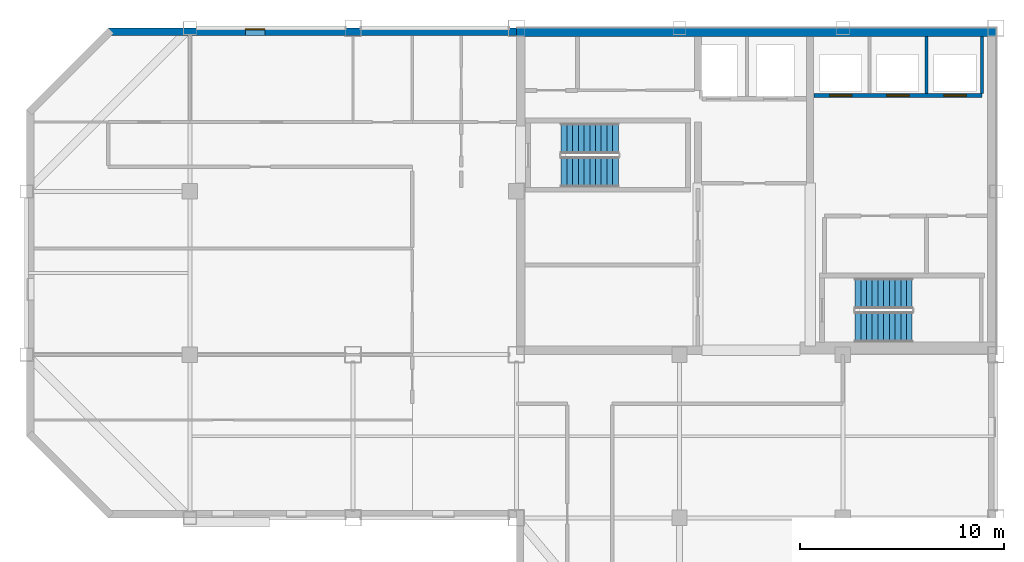
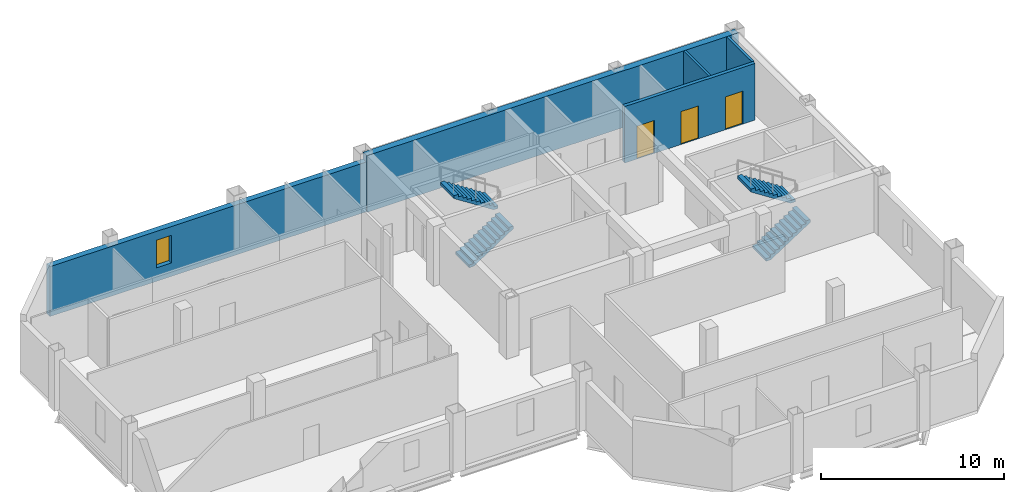
# One storey, part 4 of 7: 5 walls, 4 stair flights, 3 doors, 1 window, 4 openings, 2 elements without a shape of their own.
"""IFC4 building model written with IfcOpenShell, lengths in metres."""

from ifc_helpers import new_model, si_unit, direction, frame, frame_2d, origin, place, context, subcontext, project, spatial, polyline, rectangle, outline, extrude, material, layer, layer_set, type_object, element, fill, aggregate, save


model = new_model("IFC4")

# Units and contexts
model_context = context("Model", 3, precision=1e-05, world=origin(), true_north=direction((0.0, 1.0)))
body_context = subcontext(model_context, "Body", "Model", "MODEL_VIEW")
ifc_project = project(units=[si_unit("LENGTHUNIT", "METRE"), si_unit("AREAUNIT", "SQUARE_METRE"), si_unit("VOLUMEUNIT", "CUBIC_METRE"), si_unit("PLANEANGLEUNIT", "RADIAN"), si_unit("MASSUNIT", "GRAM", prefix="KILO")], contexts=[model_context])

# Site, building, storey
site_placement = place(None, origin())
site = spatial("IfcSite", under=ifc_project, at=site_placement, CompositionType="ELEMENT")
building_placement = place(site_placement, origin())
building = spatial("IfcBuilding", under=site, at=building_placement, Name="Qianrong Seaharbour Tower", CompositionType="ELEMENT")
storey_placement = place(building_placement, frame((0.0, 0.0, 311.199951171875)))
storey = spatial("IfcBuildingStorey", under=building, at=storey_placement, Name="L75", CompositionType="ELEMENT", Elevation=311.199951171875)

# Wall
ifc_material_1 = material(Name="Concrete C50/60", Category="concrete")
ifc_layer_1 = layer(ifc_material_1, 0.419921875)
ifc_layer_set_1 = layer_set([ifc_layer_1], Name="Concrete C50/60")
wall_type_1 = type_object("IfcWallType", Name="WALL-CORE-420", PredefinedType="SHEAR", material=ifc_layer_set_1)
wall_1_placement = place(storey_placement, frame((40.5, 51.7900390625, 0.0), z_axis=(0.0, 0.0, 1.0), x_axis=(1.0, 0.0, 0.0)))
element("IfcWall", 1, at=wall_1_placement, inside=storey, type_object=wall_type_1, Name="L75 North Core Shear Wall", PredefinedType="SHEAR", context=body_context, shape_type="SweptSolid", body=[
    extrude(rectangle(XDim=23.5, YDim=0.419921875, at=frame_2d((11.75, 0.0))), origin(), (0.0, 0.0, 1.0), 3.78515625),
])

# Wall, opening, window
ifc_material_2 = material(Name="Unitised red brick on Precast concrete C45/55", Category="masonry")
ifc_layer_2 = layer(ifc_material_2, 0.360107421875)
ifc_layer_set_2 = layer_set([ifc_layer_2], Name="Unitised red brick on Precast concrete C45/55")
wall_type_2 = type_object("IfcWallType", Name="WALL-EXT-BRICK-RED-360", PredefinedType="SOLIDWALL", material=ifc_layer_set_2)
wall_2_placement = place(storey_placement, frame((20.5, 51.820068359375, 0.0), z_axis=(0.0, 0.0, 1.0), x_axis=(1.0, 0.0, 0.0)))
wall_2 = element("IfcWall", 2, at=wall_2_placement, inside=storey, type_object=wall_type_2, Name="L75 Exterior Masonry Facade Wall NORTH_WING", PredefinedType="SOLIDWALL", context=body_context, shape_type="SweptSolid", body=[
    extrude(rectangle(XDim=20.02001953125, YDim=0.360107421875, at=frame_2d((10.010009765625, 0.0))), origin(), (0.0, 0.0, 1.0), 3.3349609375),
])
opening_1_placement = place(wall_2_placement, frame((6.72509765625, 0.0, 0.89990234375)))
opening_1 = element("IfcOpeningElement", 3, at=opening_1_placement, cuts=wall_2, Name="Opening WN-13", PredefinedType="OPENING", context=body_context, shape_type="SweptSolid", body=[
    extrude(rectangle(XDim=0.949951171875, YDim=1.85009765625, at=frame_2d((0.47509765625, 0.925048828125))), frame((0.0, 0.18994140625, 0.0), z_axis=(0.0, -1.0, 0.0), x_axis=(1.0, 0.0, 0.0)), (0.0, 0.0, 1.0), 0.380126953125),
])
ifc_material_3 = material(Name="Insulated low-e double glazing in thermally broken aluminium 6063-T6 frame", Category="aluminium")
window_type = type_object("IfcWindowType", Name="WIN-NARROW-950x1850", PartitioningType="SINGLE_PANEL", PredefinedType="WINDOW", material=ifc_material_3)
window_placement = place(opening_1_placement, origin())
window = element("IfcWindow", 4, at=window_placement, inside=storey, type_object=window_type, Name="L75 Deep-Set Punched Window 05.02", OverallHeight=1.85009765625, OverallWidth=0.949951171875, PartitioningType="SINGLE_PANEL", PredefinedType="WINDOW", context=body_context, shape_type="SweptSolid", body=[
    extrude(rectangle(XDim=0.949951171875, YDim=1.85009765625, at=frame_2d((0.47509765625, 0.925048828125))), frame((0.0, 0.150146484375, 0.0), z_axis=(0.0, -1.0, 0.0), x_axis=(1.0, 0.0, 0.0)), (0.0, 0.0, 1.0), 0.06005859375),
])
fill(opening_1, window)

# Walls
ifc_material_4 = material(Name="Fire-rated gypsum board on steel studs", Category="steel")
ifc_layer_3 = layer(ifc_material_4, 0.14990234375)
ifc_layer_set_3 = layer_set([ifc_layer_3], Name="Fire-rated gypsum board on steel studs")
wall_type_3 = type_object("IfcWallType", Name="WALL-SHAFT-DIV-150", PredefinedType="PARTITIONING", material=ifc_layer_set_3)
for number, where, z_axis, x_axis, name in (
    (5, (60.60009765625, 48.81005859375, 0.0), (0.0, 0.0, 1.0), (0.0, 1.0, 0.0), "L75 P4 Lift Hoistway Divider 3"),
    (6, (63.320068359375, 48.81005859375, 0.0), (0.0, 0.0, 1.0), (0.0, 1.0, 0.0), "L75 P4 Lift Hoistway Divider 4"),
):
    element("IfcWall", number, at=place(storey_placement, frame(where, z_axis=z_axis, x_axis=x_axis)), inside=storey, type_object=wall_type_3, Name=name, PredefinedType="PARTITIONING", context=body_context, shape_type="SweptSolid", body=[
        extrude(rectangle(XDim=2.77001953125, YDim=0.14990234375, at=frame_2d((1.385009765625, 0.0))), origin(), (0.0, 0.0, 1.0), 3.78515625),
    ])

# Wall, openings, doors
ifc_layer_4 = layer(ifc_material_4, 0.219970703125)
ifc_layer_set_4 = layer_set([ifc_layer_4], Name="Fire-rated gypsum board on steel studs")
wall_type_4 = type_object("IfcWallType", Name="WALL-SHAFT-GYP220", PredefinedType="PARTITIONING", material=ifc_layer_set_4)
wall_3_placement = place(storey_placement, frame((63.320068359375, 48.699951171875, 0.0), z_axis=(0.0, 0.0, 1.0), x_axis=(-1.0, 0.0, 0.0)))
wall_3 = element("IfcWall", 7, at=wall_3_placement, inside=storey, type_object=wall_type_4, Name="L75 P4 Lift Hoistway Front Wall", PredefinedType="PARTITIONING", context=body_context, shape_type="SweptSolid", body=[
    extrude(rectangle(XDim=8.239990234375, YDim=0.219970703125, at=frame_2d((4.1201171875, 0.0))), origin(), (0.0, 0.0, 1.0), 3.78515625),
])
opening_2_placement = place(wall_3_placement, frame((6.3701171875, 0.0, 0.0)))
opening_2 = element("IfcOpeningElement", 8, at=opening_2_placement, cuts=wall_3, Name="Opening LD-02", PredefinedType="OPENING", context=body_context, shape_type="SweptSolid", body=[
    extrude(rectangle(XDim=1.10009765625, YDim=2.199951171875, at=frame_2d((0.550048828125, 1.10009765625))), frame((0.0, 0.1201171875, 0.0), z_axis=(0.0, -1.0, 0.0), x_axis=(1.0, 0.0, 0.0)), (0.0, 0.0, 1.0), 0.239990234375),
])
opening_3_placement = place(wall_3_placement, frame((3.570068359375, 0.0, 0.0)))
opening_3 = element("IfcOpeningElement", 9, at=opening_3_placement, cuts=wall_3, Name="Opening LD-02", PredefinedType="OPENING", context=body_context, shape_type="SweptSolid", body=[
    extrude(rectangle(XDim=1.10009765625, YDim=2.199951171875, at=frame_2d((0.550048828125, 1.10009765625))), frame((0.0, 0.1201171875, 0.0), z_axis=(0.0, -1.0, 0.0), x_axis=(1.0, 0.0, 0.0)), (0.0, 0.0, 1.0), 0.239990234375),
])
opening_4_placement = place(wall_3_placement, frame((0.77001953125, 0.0, 0.0)))
opening_4 = element("IfcOpeningElement", 10, at=opening_4_placement, cuts=wall_3, Name="Opening LD-02", PredefinedType="OPENING", context=body_context, shape_type="SweptSolid", body=[
    extrude(rectangle(XDim=1.10009765625, YDim=2.199951171875, at=frame_2d((0.550048828125, 1.10009765625))), frame((0.0, 0.1201171875, 0.0), z_axis=(0.0, -1.0, 0.0), x_axis=(1.0, 0.0, 0.0)), (0.0, 0.0, 1.0), 0.239990234375),
])
ifc_material_5 = material(Name="Stainless steel SUS316L bi-parting lift landing door", Category="steel")
door_type = type_object("IfcDoorType", Name="DOOR-LIFT-PASS-1100x2200", OperationType="DOUBLE_DOOR_SLIDING", PredefinedType="DOOR", material=ifc_material_5)
door_1_placement = place(opening_2_placement, origin())
door_1 = element("IfcDoor", 11, at=door_1_placement, inside=storey, type_object=door_type, Name="L75 PL-4A Lift Landing Door", OperationType="DOUBLE_DOOR_SLIDING", OverallHeight=2.199951171875, OverallWidth=1.10009765625, PredefinedType="DOOR", context=body_context, shape_type="SweptSolid", body=[
    extrude(rectangle(XDim=1.10009765625, YDim=2.199951171875, at=frame_2d((0.550048828125, 1.10009765625))), frame((0.0, 0.02490234375, 0.0), z_axis=(0.0, -1.0, 0.0), x_axis=(1.0, 0.0, 0.0)), (0.0, 0.0, 1.0), 0.050048828125),
])
fill(opening_2, door_1)
door_2_placement = place(opening_3_placement, origin())
door_2 = element("IfcDoor", 12, at=door_2_placement, inside=storey, type_object=door_type, Name="L75 PL-4B Lift Landing Door", OperationType="DOUBLE_DOOR_SLIDING", OverallHeight=2.199951171875, OverallWidth=1.10009765625, PredefinedType="DOOR", context=body_context, shape_type="SweptSolid", body=[
    extrude(rectangle(XDim=1.10009765625, YDim=2.199951171875, at=frame_2d((0.550048828125, 1.10009765625))), frame((0.0, 0.02490234375, 0.0), z_axis=(0.0, -1.0, 0.0), x_axis=(1.0, 0.0, 0.0)), (0.0, 0.0, 1.0), 0.050048828125),
])
fill(opening_3, door_2)
door_3_placement = place(opening_4_placement, origin())
door_3 = element("IfcDoor", 13, at=door_3_placement, inside=storey, type_object=door_type, Name="L75 PL-4C Lift Landing Door", OperationType="DOUBLE_DOOR_SLIDING", OverallHeight=2.199951171875, OverallWidth=1.10009765625, PredefinedType="DOOR", context=body_context, shape_type="SweptSolid", body=[
    extrude(rectangle(XDim=1.10009765625, YDim=2.199951171875, at=frame_2d((0.550048828125, 1.10009765625))), frame((0.0, 0.02490234375, 0.0), z_axis=(0.0, -1.0, 0.0), x_axis=(1.0, 0.0, 0.0)), (0.0, 0.0, 1.0), 0.050048828125),
])
fill(opening_4, door_3)

# Stair, stair flights
stair_type = type_object("IfcStairType", Name="STAIR-DOGLEG-1500-R22", PredefinedType="HALF_TURN_STAIR", material=ifc_material_1)
stair_1_placement = place(storey_placement, origin())
stair_1 = element("IfcStair", 14, at=stair_1_placement, inside=storey, type_object=stair_type, Name="L75 Protected Escape Stair ST-1", PredefinedType="HALF_TURN_STAIR")
stair_flight_type = type_object("IfcStairFlightType", Name="FLIGHT-STR-1500-R22", PredefinedType="STRAIGHT", material=ifc_material_1)
stair_flight_1_placement = place(storey_placement, frame((42.699951171875, 44.949951171875, 0.0), z_axis=(0.0, 0.0, 1.0), x_axis=(1.0, 0.0, 0.0)))
stair_flight_1 = element("IfcStairFlight", 15, at=stair_flight_1_placement, type_object=stair_flight_type, Name="ST-1 flight 1", NumberOfRisers=11, NumberOfTreads=10, PredefinedType="STRAIGHT", RiserHeight=0.181818182, TreadLength=0.28, context=body_context, shape_type="SweptSolid", body=[
    extrude(outline(polyline([(0.0, 0.0), (0.0, 0.181884765625), (0.280029296875, 0.181884765625), (0.280029296875, 0.363525390625), (0.56005859375, 0.363525390625), (0.56005859375, 0.54541015625), (0.840087890625, 0.54541015625), (0.840087890625, 0.727294921875), (1.1201171875, 0.727294921875), (1.1201171875, 0.9091796875), (1.39990234375, 0.9091796875), (1.39990234375, 1.0908203125), (1.679931640625, 1.0908203125), (1.679931640625, 1.272705078125), (1.9599609375, 1.272705078125), (1.9599609375, 1.45458984375), (2.239990234375, 1.45458984375), (2.239990234375, 1.636474609375), (2.52001953125, 1.636474609375), (2.52001953125, 1.818115234375), (2.800048828125, 1.818115234375), (2.800048828125, 2.0), (2.800048828125, 1.62744140625), (0.293701171875, 0.0), (0.0, 0.0)])), frame((0.0, 0.75, 0.0), z_axis=(0.0, -1.0, 0.0), x_axis=(1.0, 0.0, 0.0)), (0.0, 0.0, 1.0), 1.5),
])
stair_flight_2_placement = place(storey_placement, frame((45.5, 46.60009765625, 2.0), z_axis=(0.0, 0.0, 1.0), x_axis=(-1.0, 0.0, 0.0)))
stair_flight_2 = element("IfcStairFlight", 16, at=stair_flight_2_placement, type_object=stair_flight_type, Name="ST-1 flight 2", NumberOfRisers=11, NumberOfTreads=10, PredefinedType="STRAIGHT", RiserHeight=0.181818182, TreadLength=0.28, context=body_context, shape_type="SweptSolid", body=[
    extrude(outline(polyline([(0.0, 0.0), (0.0, 0.181884765625), (0.280029296875, 0.181884765625), (0.280029296875, 0.363525390625), (0.56005859375, 0.363525390625), (0.56005859375, 0.54541015625), (0.840087890625, 0.54541015625), (0.840087890625, 0.727294921875), (1.1201171875, 0.727294921875), (1.1201171875, 0.9091796875), (1.39990234375, 0.9091796875), (1.39990234375, 1.0908203125), (1.679931640625, 1.0908203125), (1.679931640625, 1.272705078125), (1.9599609375, 1.272705078125), (1.9599609375, 1.45458984375), (2.239990234375, 1.45458984375), (2.239990234375, 1.636474609375), (2.52001953125, 1.636474609375), (2.52001953125, 1.818115234375), (2.800048828125, 1.818115234375), (2.800048828125, 2.0), (2.800048828125, 1.62744140625), (0.293701171875, 0.0), (0.0, 0.0)])), frame((0.0, 0.75, 0.0), z_axis=(0.0, -1.0, 0.0), x_axis=(1.0, 0.0, 0.0)), (0.0, 0.0, 1.0), 1.5),
])
aggregate(stair_1, [stair_flight_1, stair_flight_2])

stair_2_placement = place(storey_placement, origin())
stair_2 = element("IfcStair", 17, at=stair_2_placement, inside=storey, type_object=stair_type, Name="L75 Protected Escape Stair ST-2", PredefinedType="HALF_TURN_STAIR")
stair_flight_3_placement = place(storey_placement, frame((57.10009765625, 37.35009765625, 0.0), z_axis=(0.0, 0.0, 1.0), x_axis=(1.0, 0.0, 0.0)))
stair_flight_3 = element("IfcStairFlight", 18, at=stair_flight_3_placement, type_object=stair_flight_type, Name="ST-2 flight 1", NumberOfRisers=11, NumberOfTreads=10, PredefinedType="STRAIGHT", RiserHeight=0.181818182, TreadLength=0.28, context=body_context, shape_type="SweptSolid", body=[
    extrude(outline(polyline([(0.0, 0.0), (0.0, 0.181884765625), (0.280029296875, 0.181884765625), (0.280029296875, 0.363525390625), (0.56005859375, 0.363525390625), (0.56005859375, 0.54541015625), (0.840087890625, 0.54541015625), (0.840087890625, 0.727294921875), (1.1201171875, 0.727294921875), (1.1201171875, 0.9091796875), (1.39990234375, 0.9091796875), (1.39990234375, 1.0908203125), (1.679931640625, 1.0908203125), (1.679931640625, 1.272705078125), (1.9599609375, 1.272705078125), (1.9599609375, 1.45458984375), (2.239990234375, 1.45458984375), (2.239990234375, 1.636474609375), (2.52001953125, 1.636474609375), (2.52001953125, 1.818115234375), (2.800048828125, 1.818115234375), (2.800048828125, 2.0), (2.800048828125, 1.62744140625), (0.293701171875, 0.0), (0.0, 0.0)])), frame((0.0, 0.75, 0.0), z_axis=(0.0, -1.0, 0.0), x_axis=(1.0, 0.0, 0.0)), (0.0, 0.0, 1.0), 1.5),
])
stair_flight_4_placement = place(storey_placement, frame((59.89990234375, 39.0, 2.0), z_axis=(0.0, 0.0, 1.0), x_axis=(-1.0, 0.0, 0.0)))
stair_flight_4 = element("IfcStairFlight", 19, at=stair_flight_4_placement, type_object=stair_flight_type, Name="ST-2 flight 2", NumberOfRisers=11, NumberOfTreads=10, PredefinedType="STRAIGHT", RiserHeight=0.181818182, TreadLength=0.28, context=body_context, shape_type="SweptSolid", body=[
    extrude(outline(polyline([(0.0, 0.0), (0.0, 0.181884765625), (0.280029296875, 0.181884765625), (0.280029296875, 0.363525390625), (0.56005859375, 0.363525390625), (0.56005859375, 0.54541015625), (0.840087890625, 0.54541015625), (0.840087890625, 0.727294921875), (1.1201171875, 0.727294921875), (1.1201171875, 0.9091796875), (1.39990234375, 0.9091796875), (1.39990234375, 1.0908203125), (1.679931640625, 1.0908203125), (1.679931640625, 1.272705078125), (1.9599609375, 1.272705078125), (1.9599609375, 1.45458984375), (2.239990234375, 1.45458984375), (2.239990234375, 1.636474609375), (2.52001953125, 1.636474609375), (2.52001953125, 1.818115234375), (2.800048828125, 1.818115234375), (2.800048828125, 2.0), (2.800048828125, 1.62744140625), (0.293701171875, 0.0), (0.0, 0.0)])), frame((0.0, 0.75, 0.0), z_axis=(0.0, -1.0, 0.0), x_axis=(1.0, 0.0, 0.0)), (0.0, 0.0, 1.0), 1.5),
])
aggregate(stair_2, [stair_flight_3, stair_flight_4])

save(model, "model.ifc")
